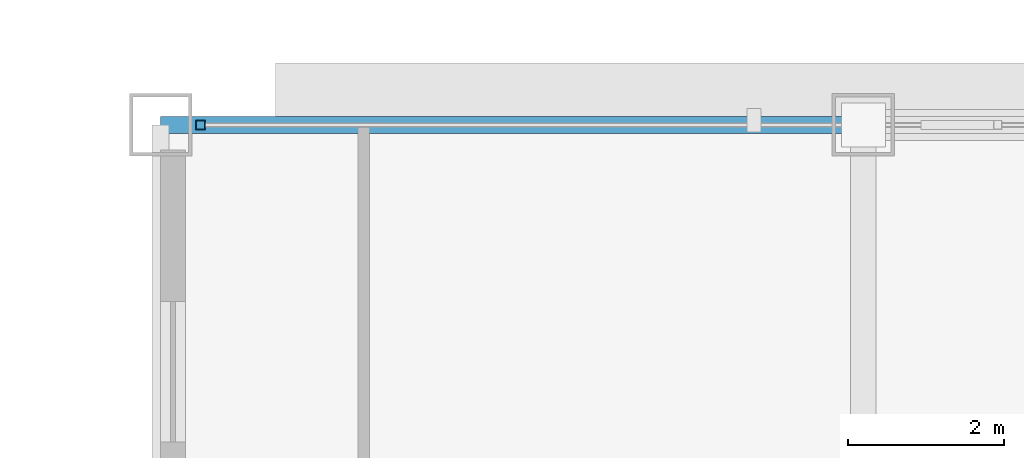
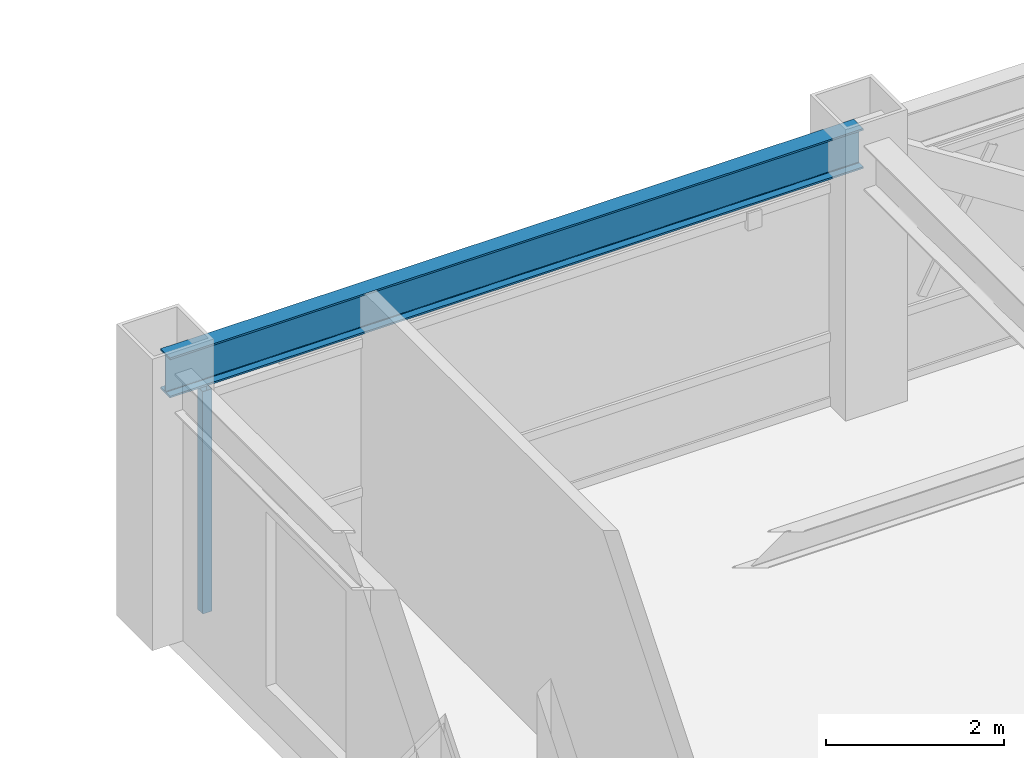
# One storey, part 16 of 32: 1 beam, 1 member, 1 element without a shape of its own.
"""IFC4 building model written with IfcOpenShell, lengths in metres."""

from ifc_helpers import new_model, si_unit, direction, frame, origin, origin_2d, place, context, subcontext, project, spatial, hollow_rectangle, i_section, extrude, source, transform, mapped, material, material_profile, profile_set, type_object, element, aggregate, save


model = new_model("IFC4")

# Units and contexts
model_context = context("Model", 3, precision=1e-05, world=origin(), true_north=direction((0.0, 1.0)))
body_context = subcontext(model_context, "Body", "Model", "MODEL_VIEW")
ifc_project = project(units=[si_unit("LENGTHUNIT", "METRE"), si_unit("AREAUNIT", "SQUARE_METRE"), si_unit("VOLUMEUNIT", "CUBIC_METRE"), si_unit("PLANEANGLEUNIT", "RADIAN"), si_unit("MASSUNIT", "GRAM", prefix="KILO")], contexts=[model_context])

# Site, building, storey
site_placement = place(None, origin())
site = spatial("IfcSite", under=ifc_project, at=site_placement, CompositionType="ELEMENT")
building_placement = place(site_placement, origin())
building = spatial("IfcBuilding", under=site, at=building_placement, Name="Khorayat Bourse Tower", CompositionType="ELEMENT")
storey_placement = place(building_placement, frame((0.0, 0.0, 342.300048828125)))
storey = spatial("IfcBuildingStorey", under=building, at=storey_placement, Name="L81", CompositionType="ELEMENT", Elevation=342.300048828125)

# Beam
ifc_material_1 = material(Name="Steel ASTM A992 Grade 50", Category="steel")
ifc_material_profile_1 = material_profile(ifc_material_1, i_section(OverallWidth=0.214111328125, OverallDepth=0.549072265625, WebThickness=0.0146484375, FlangeThickness=0.023681640625, FilletRadius=0.013916015625, at=origin_2d()), Name="W530X138")
ifc_profile_set_1 = profile_set([ifc_material_profile_1], Name="Steel ASTM A992 Grade 50")
beam_type = type_object("IfcBeamType", Name="BM-SPAN-530", PredefinedType="SPANDREL", material=ifc_profile_set_1)
shared_shape_1 = source(origin(), body_context, "Body", "SweptSolid", [
    extrude(i_section(OverallWidth=0.214111328125, OverallDepth=0.549072265625, WebThickness=0.0146484375, FlangeThickness=0.023681640625, FilletRadius=0.013916015625, at=origin_2d()), origin(), (0.0, 0.0, 1.0), 9.0),
])
beam_placement = place(storey_placement, frame((-20.0, 26.0, 3.425537109375), z_axis=(1.0, 0.0, 0.0), x_axis=(0.0, 1.0, 0.0)))
element("IfcBeam", 1, at=beam_placement, inside=storey, type_object=beam_type, Name="L81 BM-SPAN-530 BM-L81-SPN-042", PredefinedType="SPANDREL", context=body_context, shape_type="MappedRepresentation", body=[
    mapped(shared_shape_1, transform((0.0, 0.0, 0.0), scale=1.0)),
])

# Curtain wall, member
ifc_material_2 = material(Name="Aluminium EN AW-6063 T6", Category="aluminium")
curtain_wall_type = type_object("IfcCurtainWallType", Name="CW-SYS-04", PredefinedType="NOTDEFINED", material=ifc_material_2)
curtain_wall_placement = place(storey_placement, origin())
curtain_wall = element("IfcCurtainWall", 2, at=curtain_wall_placement, inside=storey, type_object=curtain_wall_type, Name="L81 Curtain Wall CW-L81-N1", PredefinedType="NOTDEFINED")
ifc_material_profile_2 = material_profile(ifc_material_2, hollow_rectangle(XDim=0.1201171875, YDim=0.1201171875, WallThickness=0.0048828125, at=origin_2d()), Name="ALU 120x120x5")
ifc_profile_set_2 = profile_set([ifc_material_profile_2], Name="Aluminium EN AW-6063 T6")
member_type = type_object("IfcMemberType", Name="CWM-VERT-120", PredefinedType="MULLION", material=ifc_profile_set_2)
shared_shape_2 = source(origin(), body_context, "Body", "SweptSolid", [
    extrude(hollow_rectangle(XDim=0.1201171875, YDim=0.1201171875, WallThickness=0.0048828125, at=origin_2d()), origin(), (0.0, 0.0, 1.0), 3.050048828125),
])
member_placement = place(storey_placement, frame((-19.489990234375, 26.0, 0.0), z_axis=(0.0, 0.0, 1.0), x_axis=(0.0, 1.0, 0.0)))
member = element("IfcMember", 3, at=member_placement, type_object=member_type, Name="CW-L81-N1 Vertical Mullion 1", PredefinedType="MULLION", context=body_context, shape_type="MappedRepresentation", body=[
    mapped(shared_shape_2, transform((0.0, 0.0, 0.0), scale=1.0)),
])
aggregate(curtain_wall, [member])

save(model, "model.ifc")
